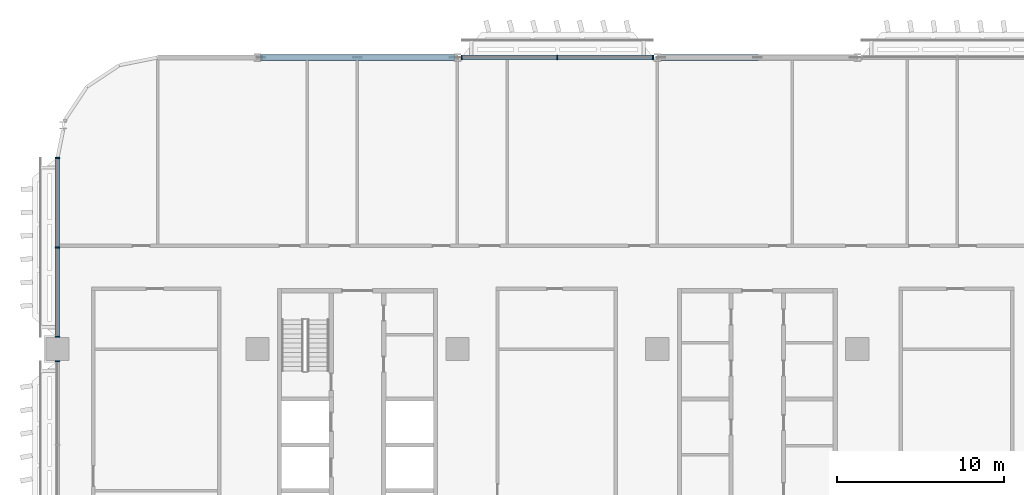
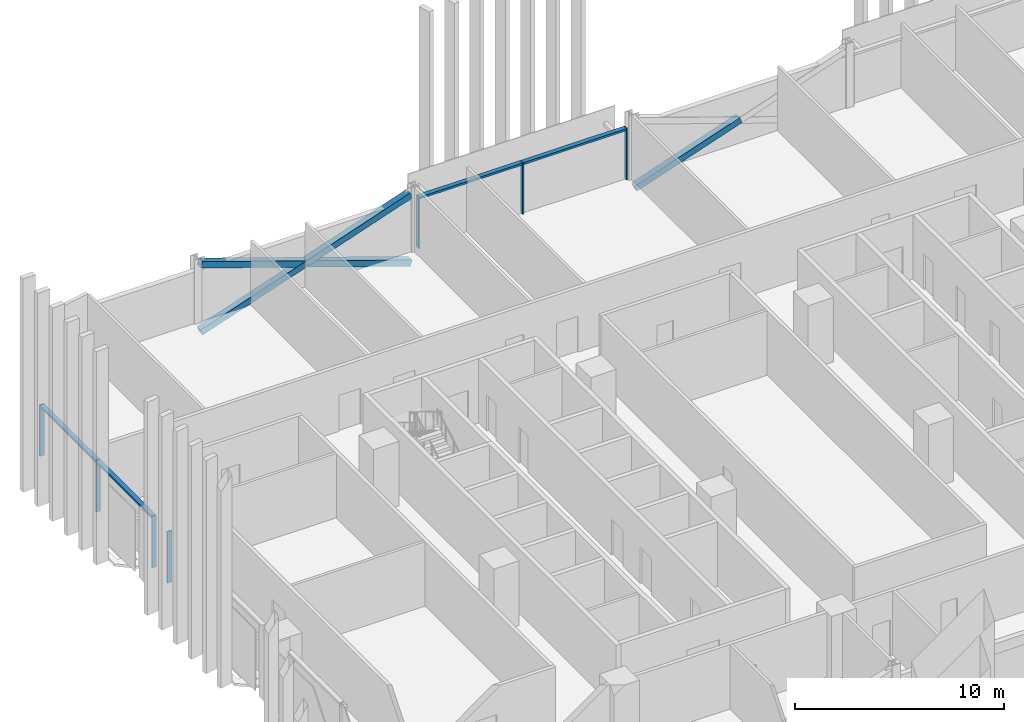
# One storey, part 5 of 31: 15 members, 3 elements without a shape of their own.
"""IFC4 building model written with IfcOpenShell, lengths in metres."""

from ifc_helpers import new_model, si_unit, direction, frame, origin, origin_2d, place, context, subcontext, project, spatial, rectangle, hollow_rectangle, extrude, material, material_profile, profile_set, type_object, element, aggregate, save


model = new_model("IFC4")

# Units and contexts
model_context = context("Model", 3, precision=1e-05, world=origin(), true_north=direction((0.0, 1.0)))
body_context = subcontext(model_context, "Body", "Model", "MODEL_VIEW")
ifc_project = project(units=[si_unit("LENGTHUNIT", "METRE"), si_unit("AREAUNIT", "SQUARE_METRE"), si_unit("VOLUMEUNIT", "CUBIC_METRE"), si_unit("PLANEANGLEUNIT", "RADIAN"), si_unit("MASSUNIT", "GRAM", prefix="KILO")], contexts=[model_context])

# Site, building, storey
site_placement = place(None, origin())
site = spatial("IfcSite", under=ifc_project, at=site_placement, CompositionType="ELEMENT")
building_placement = place(site_placement, origin())
building = spatial("IfcBuilding", under=site, at=building_placement, Name="Mahtab Terrace Research Tower", CompositionType="ELEMENT")
storey_placement = place(building_placement, frame((0.0, 0.0, 84.800048828125)))
storey = spatial("IfcBuildingStorey", under=building, at=storey_placement, Name="L19", CompositionType="ELEMENT", Elevation=84.800048828125)

# Members
ifc_material_1 = material(Name="Steel ASTM A500 Gr C", Category="steel")
ifc_material_profile_1 = material_profile(ifc_material_1, hollow_rectangle(XDim=0.355712890625, YDim=0.355712890625, WallThickness=0.01904296875, at=origin_2d()), Name="HSS14X14X3/4")
ifc_profile_set_1 = profile_set([ifc_material_profile_1], Name="Steel ASTM A500 Gr C")
member_type_1 = type_object("IfcMemberType", Name="HSS 14x14x3/4 brace XB141434", PredefinedType="BRACE", material=ifc_profile_set_1)
member_1_placement = place(storey_placement, frame((-5.79052734375, 29.0, -0.64697265625), z_axis=(0.946286750388, 0.0, 0.323328603809), x_axis=(0.0, 1.0, 0.0)))
element("IfcMember", 1, at=member_1_placement, inside=storey, type_object=member_type_1, Name="Exoskeleton brace L19 05 b1", PredefinedType="BRACE", context=body_context, shape_type="SweptSolid", body=[
    extrude(hollow_rectangle(XDim=0.355712890625, YDim=0.355712890625, WallThickness=0.01904296875, at=origin_2d()), origin(), (0.0, 0.0, 1.0), 6.119140625),
])
member_2_placement = place(storey_placement, frame((-18.20947265625, 29.0, -0.64697265625), z_axis=(-0.946292853795, 0.0, 0.323310740397), x_axis=(0.0, -1.0, 0.0)))
element("IfcMember", 2, at=member_2_placement, inside=storey, type_object=member_type_1, Name="Exoskeleton brace L19 07 a", PredefinedType="BRACE", context=body_context, shape_type="SweptSolid", body=[
    extrude(hollow_rectangle(XDim=0.355712890625, YDim=0.355712890625, WallThickness=0.01904296875, at=origin_2d()), origin(), (0.0, 0.0, 1.0), 12.23828125),
])
for number, where, z_axis, x_axis, name in (
    (3, (-29.79052734375, 29.0, -0.64697265625), (0.946286750388, 0.0, 0.323328603809), (0.0, 1.0, 0.0), "Exoskeleton brace L19 07 b1"),
    (4, (-24.0, 29.0, 1.33154296875), (0.946298956945, 0.0, 0.323292876639), (0.0, 1.0, 0.0), "Exoskeleton brace L19 07 b2"),
):
    element("IfcMember", number, at=place(storey_placement, frame(where, z_axis=z_axis, x_axis=x_axis)), inside=storey, type_object=member_type_1, Name=name, PredefinedType="BRACE", context=body_context, shape_type="SweptSolid", body=[
        extrude(hollow_rectangle(XDim=0.355712890625, YDim=0.355712890625, WallThickness=0.01904296875, at=origin_2d()), origin(), (0.0, 0.0, 1.0), 6.119140625),
    ])

# Curtain wall, members
ifc_material_2 = material(Name="Sky lounge full-height curtain wall")
curtain_wall_type = type_object("IfcCurtainWallType", Name="Sky lounge full-height curtain wall", PredefinedType="NOTDEFINED", material=ifc_material_2)
curtain_wall_1_placement = place(storey_placement, origin())
curtain_wall_1 = element("IfcCurtainWall", 5, at=curtain_wall_1_placement, inside=storey, type_object=curtain_wall_type, Name="EN.L19.3.8", PredefinedType="NOTDEFINED")
ifc_material_3 = material(Name="Natural anodised aluminium", Category="aluminium")
ifc_material_profile_2 = material_profile(ifc_material_3, rectangle(XDim=0.25, YDim=0.070068359375, at=origin_2d()), Name="MULLION 70x250")
ifc_profile_set_2 = profile_set([ifc_material_profile_2], Name="Natural anodised aluminium")
member_type_2 = type_object("IfcMemberType", Name="Sky lounge full-height curtain wall mullion", PredefinedType="MULLION", material=ifc_profile_set_2)
member_3_placement = place(storey_placement, frame((-6.262939453125, 29.0, 0.0), z_axis=(0.0, 0.0, 1.0), x_axis=(0.0, -1.0, 0.0)))
member_3 = element("IfcMember", 6, at=member_3_placement, type_object=member_type_2, Name="CWS-3 mullion 1", PredefinedType="MULLION", context=body_context, shape_type="SweptSolid", body=[
    extrude(rectangle(XDim=0.25, YDim=0.070068359375, at=origin_2d()), origin(), (0.0, 0.0, 1.0), 3.0029296875),
])
member_4_placement = place(storey_placement, frame((-12.0, 29.0, 0.0), z_axis=(0.0, 0.0, 1.0), x_axis=(0.0, -1.0, 0.0)))
member_4 = element("IfcMember", 7, at=member_4_placement, type_object=member_type_2, Name="CWS-3 mullion 2", PredefinedType="MULLION", context=body_context, shape_type="SweptSolid", body=[
    extrude(rectangle(XDim=0.25, YDim=0.070068359375, at=origin_2d()), origin(), (0.0, 0.0, 1.0), 3.0029296875),
])
member_5_placement = place(storey_placement, frame((-17.737060546875, 29.0, 0.0), z_axis=(0.0, 0.0, 1.0), x_axis=(0.0, -1.0, 0.0)))
member_5 = element("IfcMember", 8, at=member_5_placement, type_object=member_type_2, Name="CWS-3 mullion 3", PredefinedType="MULLION", context=body_context, shape_type="SweptSolid", body=[
    extrude(rectangle(XDim=0.25, YDim=0.070068359375, at=origin_2d()), origin(), (0.0, 0.0, 1.0), 3.0029296875),
])

curtain_wall_2_placement = place(storey_placement, origin())
curtain_wall_2 = element("IfcCurtainWall", 9, at=curtain_wall_2_placement, inside=storey, type_object=curtain_wall_type, Name="EN.L19.8.16", PredefinedType="NOTDEFINED")
member_6_placement = place(storey_placement, frame((-42.0, 22.965087890625, 0.0), z_axis=(0.0, 0.0, 1.0), x_axis=(1.0, 0.0, 0.0)))
member_6 = element("IfcMember", 10, at=member_6_placement, type_object=member_type_2, Name="CWS-3 mullion 1", PredefinedType="MULLION", context=body_context, shape_type="SweptSolid", body=[
    extrude(rectangle(XDim=0.25, YDim=0.070068359375, at=origin_2d()), origin(), (0.0, 0.0, 1.0), 3.0029296875),
])
member_7_placement = place(storey_placement, frame((-42.0, 17.60009765625, 0.0), z_axis=(0.0, 0.0, 1.0), x_axis=(1.0, 0.0, 0.0)))
member_7 = element("IfcMember", 11, at=member_7_placement, type_object=member_type_2, Name="CWS-3 mullion 2", PredefinedType="MULLION", context=body_context, shape_type="SweptSolid", body=[
    extrude(rectangle(XDim=0.25, YDim=0.070068359375, at=origin_2d()), origin(), (0.0, 0.0, 1.0), 3.0029296875),
])
member_8_placement = place(storey_placement, frame((-42.0, 12.235107421875, 0.0), z_axis=(0.0, 0.0, 1.0), x_axis=(1.0, 0.0, 0.0)))
member_8 = element("IfcMember", 12, at=member_8_placement, type_object=member_type_2, Name="CWS-3 mullion 3", PredefinedType="MULLION", context=body_context, shape_type="SweptSolid", body=[
    extrude(rectangle(XDim=0.25, YDim=0.070068359375, at=origin_2d()), origin(), (0.0, 0.0, 1.0), 3.0029296875),
])

# Curtain wall, member
curtain_wall_3_placement = place(storey_placement, origin())
curtain_wall_3 = element("IfcCurtainWall", 13, at=curtain_wall_3_placement, inside=storey, type_object=curtain_wall_type, Name="EN.L19.8.17", PredefinedType="NOTDEFINED")
member_9_placement = place(storey_placement, frame((-42.0, 10.764892578125, 0.0), z_axis=(0.0, 0.0, 1.0), x_axis=(1.0, 0.0, 0.0)))
member_9 = element("IfcMember", 14, at=member_9_placement, type_object=member_type_2, Name="CWS-3 mullion 1", PredefinedType="MULLION", context=body_context, shape_type="SweptSolid", body=[
    extrude(rectangle(XDim=0.25, YDim=0.070068359375, at=origin_2d()), origin(), (0.0, 0.0, 1.0), 3.0029296875),
])
aggregate(curtain_wall_3, [member_9])

# Member
ifc_material_profile_3 = material_profile(ifc_material_3, rectangle(XDim=0.25, YDim=0.1201171875, at=origin_2d()), Name="TRANSOM 120x250")
ifc_profile_set_3 = profile_set([ifc_material_profile_3], Name="Natural anodised aluminium")
member_type_3 = type_object("IfcMemberType", Name="Sky lounge full-height curtain wall transom", PredefinedType="USERDEFINED", material=ifc_profile_set_3)
member_10_placement = place(storey_placement, frame((-6.298095703125, 29.0, 2.943115234375), z_axis=(-1.0, 0.0, 0.0), x_axis=(0.0, -1.0, 0.0)))
member_10 = element("IfcMember", 15, at=member_10_placement, type_object=member_type_3, Name="CWS-3 transom 1", ObjectType="TRANSOM", PredefinedType="USERDEFINED", context=body_context, shape_type="SweptSolid", body=[
    extrude(rectangle(XDim=0.25, YDim=0.1201171875, at=origin_2d()), origin(), (0.0, 0.0, 1.0), 5.6669921875),
])

member_11_placement = place(storey_placement, frame((-12.034912109375, 29.0, 2.943115234375), z_axis=(-1.0, 0.0, 0.0), x_axis=(0.0, -1.0, 0.0)))
member_11 = element("IfcMember", 16, at=member_11_placement, type_object=member_type_3, Name="CWS-3 transom 2", ObjectType="TRANSOM", PredefinedType="USERDEFINED", context=body_context, shape_type="SweptSolid", body=[
    extrude(rectangle(XDim=0.25, YDim=0.1201171875, at=origin_2d()), origin(), (0.0, 0.0, 1.0), 5.6669921875),
])

aggregate(curtain_wall_1, [member_3, member_4, member_5, member_10, member_11])

member_12_placement = place(storey_placement, frame((-42.0, 22.929931640625, 2.943115234375), z_axis=(0.0, -1.0, 0.0), x_axis=(1.0, 0.0, 0.0)))
member_12 = element("IfcMember", 17, at=member_12_placement, type_object=member_type_3, Name="CWS-3 transom 1", ObjectType="TRANSOM", PredefinedType="USERDEFINED", context=body_context, shape_type="SweptSolid", body=[
    extrude(rectangle(XDim=0.25, YDim=0.1201171875, at=origin_2d()), origin(), (0.0, 0.0, 1.0), 5.294921875),
])

member_13_placement = place(storey_placement, frame((-42.0, 17.56494140625, 2.943115234375), z_axis=(0.0, -1.0, 0.0), x_axis=(1.0, 0.0, 0.0)))
member_13 = element("IfcMember", 18, at=member_13_placement, type_object=member_type_3, Name="CWS-3 transom 2", ObjectType="TRANSOM", PredefinedType="USERDEFINED", context=body_context, shape_type="SweptSolid", body=[
    extrude(rectangle(XDim=0.25, YDim=0.1201171875, at=origin_2d()), origin(), (0.0, 0.0, 1.0), 5.294921875),
])

aggregate(curtain_wall_2, [member_6, member_7, member_8, member_12, member_13])

save(model, "model.ifc")
